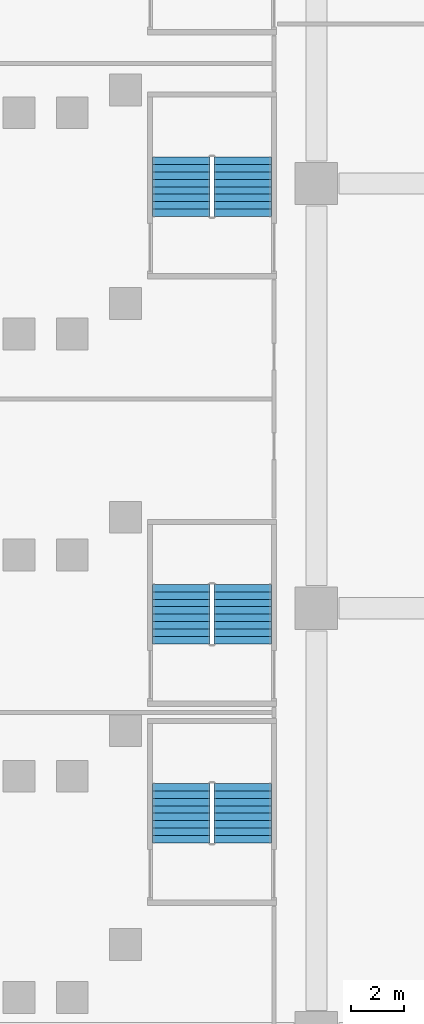
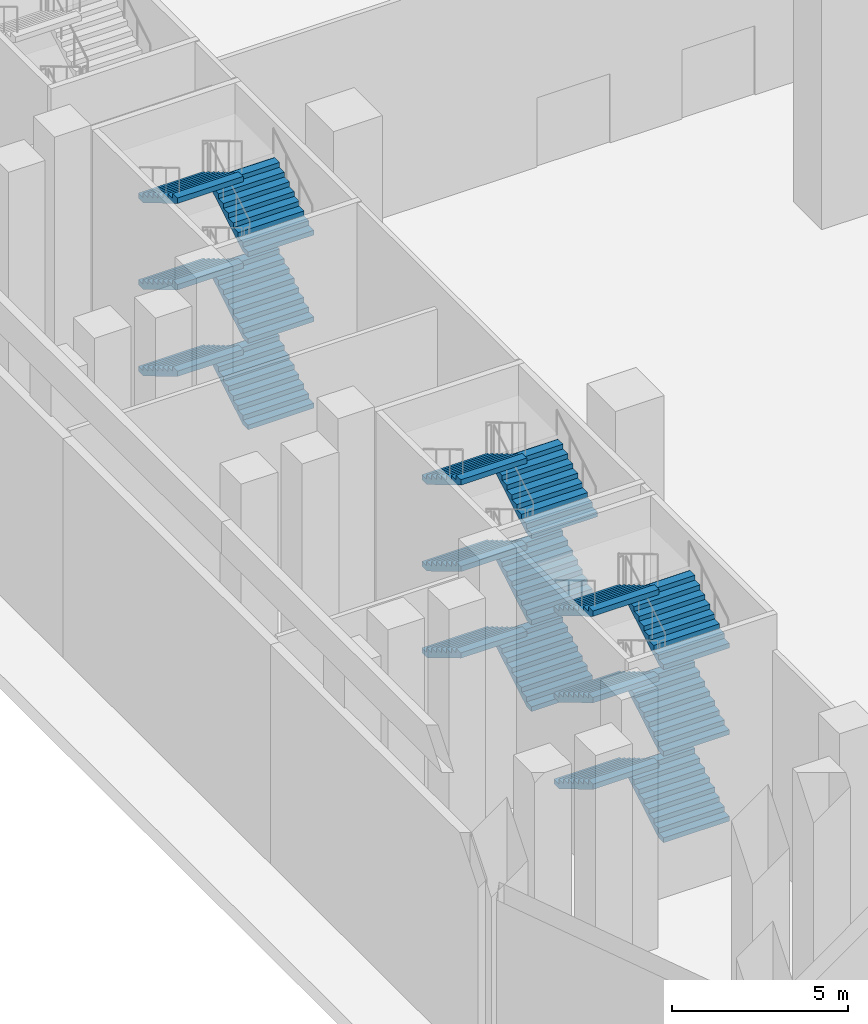
# One storey, part 12 of 25: 18 stair flights, 3 elements without a shape of their own.
"""IFC4 building model written with IfcOpenShell, lengths in metres."""

from ifc_helpers import new_model, si_unit, direction, frame, origin, place, context, subcontext, project, spatial, faceted_brep, source, transform, mapped, material, type_object, element, aggregate, save


model = new_model("IFC4")

# Units and contexts
model_context = context("Model", 3, precision=1e-05, world=origin(), true_north=direction((0.0, 1.0)))
body_context = subcontext(model_context, "Body", "Model", "MODEL_VIEW")
ifc_project = project(units=[si_unit("LENGTHUNIT", "METRE"), si_unit("AREAUNIT", "SQUARE_METRE"), si_unit("VOLUMEUNIT", "CUBIC_METRE"), si_unit("PLANEANGLEUNIT", "RADIAN"), si_unit("MASSUNIT", "GRAM", prefix="KILO")], contexts=[model_context])

# Site, building, storey
site_placement = place(None, origin())
site = spatial("IfcSite", under=ifc_project, at=site_placement, CompositionType="ELEMENT")
building_placement = place(site_placement, origin())
building = spatial("IfcBuilding", under=site, at=building_placement, Name="Calabash Gate Tower", CompositionType="ELEMENT")
storey_placement = place(building_placement, frame((0.0, 0.0, 20.0)))
storey = spatial("IfcBuildingStorey", under=building, at=storey_placement, Name="L02", CompositionType="ELEMENT", Elevation=20.0)

# Stair, stair flights
ifc_material_1 = material(Name="Concrete C40/50", Category="concrete")
stair_type = type_object("IfcStairType", Name="Public stair 54 risers of 166.7 mm", PredefinedType="HALF_TURN_STAIR", material=ifc_material_1)
stair_1_placement = place(storey_placement, origin())
stair_1 = element("IfcStair", 1, at=stair_1_placement, inside=storey, type_object=stair_type, Name="L02 Public Stair PS1", PredefinedType="HALF_TURN_STAIR")
ifc_material_2 = material(Name="Concrete C40/50", Category="concrete")
stair_flight_type = type_object("IfcStairFlightType", Name="Exit stair flight SFL", PredefinedType="STRAIGHT", material=ifc_material_2)
shared_shape = source(origin(), body_context, "Body", "Brep", [
    faceted_brep([(-0.0009765625, -1.080078125, 0.0), (0.292236328125, -1.080078125, 0.0), (2.23291015625, -1.080078125, 1.15869140625), (-0.0009765625, 1.080078125, 0.0), (2.23291015625, 1.080078125, 1.15869140625), (0.292236328125, 1.080078125, 0.0), (2.23291015625, -1.080078125, 1.34521484375), (2.23193359375, -1.080078125, 1.34521484375), (2.23193359375, 1.080078125, 1.34521484375), (2.23291015625, 1.080078125, 1.34521484375), (2.23193359375, -1.080078125, 1.333251953125), (2.23193359375, 1.080078125, 1.333251953125), (1.952880859375, -1.080078125, 1.333251953125), (1.952880859375, 1.080078125, 1.333251953125), (1.952880859375, -1.080078125, 1.166748046875), (1.952880859375, 1.080078125, 1.166748046875), (1.674072265625, -1.080078125, 1.166748046875), (1.674072265625, 1.080078125, 1.166748046875), (1.674072265625, -1.080078125, 1.0), (1.674072265625, 1.080078125, 1.0), (1.39501953125, -1.080078125, 1.0), (1.39501953125, -1.080078125, 0.833251953125), (1.39501953125, 1.080078125, 0.833251953125), (1.39501953125, 1.080078125, 1.0), (1.115966796875, -1.080078125, 0.833251953125), (1.115966796875, -1.080078125, 0.666748046875), (1.115966796875, 1.080078125, 0.666748046875), (1.115966796875, 1.080078125, 0.833251953125), (0.8369140625, -1.080078125, 0.666748046875), (0.8369140625, -1.080078125, 0.5), (0.8369140625, 1.080078125, 0.5), (0.8369140625, 1.080078125, 0.666748046875), (0.55810546875, -1.080078125, 0.5), (0.55810546875, -1.080078125, 0.333251953125), (0.55810546875, 1.080078125, 0.333251953125), (0.55810546875, 1.080078125, 0.5), (0.279052734375, -1.080078125, 0.333251953125), (0.279052734375, -1.080078125, 0.166748046875), (0.279052734375, 1.080078125, 0.166748046875), (0.279052734375, 1.080078125, 0.333251953125), (-0.0009765625, -1.080078125, 0.166748046875), (-0.0009765625, 1.080078125, 0.166748046875), (0.292236328125, -0.431884765625, 0.0), (2.23291015625, -0.431884765625, 1.15869140625), (0.292236328125, -0.345703125, 0.0), (2.23291015625, -0.345703125, 1.15869140625), (0.292236328125, -0.25927734375, 0.0), (2.23291015625, -0.25927734375, 1.15869140625), (0.292236328125, -0.1728515625, 0.0), (2.23291015625, -0.1728515625, 1.15869140625), (0.292236328125, -0.08642578125, 0.0), (2.23291015625, -0.08642578125, 1.15869140625), (0.292236328125, 0.0, 0.0), (2.23291015625, 0.0, 1.15869140625), (0.292236328125, 0.08642578125, 0.0), (2.23291015625, 0.08642578125, 1.15869140625), (0.292236328125, 0.1728515625, 0.0), (2.23291015625, 0.1728515625, 1.15869140625), (0.292236328125, 0.25927734375, 0.0), (2.23291015625, 0.25927734375, 1.15869140625), (0.292236328125, 0.345703125, 0.0), (2.23291015625, 0.345703125, 1.15869140625), (0.292236328125, 0.431884765625, 0.0), (2.23291015625, 0.431884765625, 1.15869140625), (2.23291015625, -0.431884765625, 1.34521484375), (2.23291015625, -0.345703125, 1.34521484375), (2.23291015625, -0.25927734375, 1.34521484375), (2.23291015625, -0.1728515625, 1.34521484375), (2.23291015625, -0.08642578125, 1.34521484375), (2.23291015625, 0.0, 1.34521484375), (2.23291015625, 0.08642578125, 1.34521484375), (2.23291015625, 0.1728515625, 1.34521484375), (2.23291015625, 0.25927734375, 1.34521484375), (2.23291015625, 0.345703125, 1.34521484375), (2.23291015625, 0.431884765625, 1.34521484375), (2.23193359375, -0.431884765625, 1.34521484375), (2.23193359375, -0.345703125, 1.34521484375), (2.23193359375, -0.25927734375, 1.34521484375), (2.23193359375, -0.1728515625, 1.34521484375), (2.23193359375, -0.08642578125, 1.34521484375), (2.23193359375, 0.0, 1.34521484375), (2.23193359375, 0.08642578125, 1.34521484375), (2.23193359375, 0.1728515625, 1.34521484375), (2.23193359375, 0.25927734375, 1.34521484375), (2.23193359375, 0.345703125, 1.34521484375), (2.23193359375, 0.431884765625, 1.34521484375), (2.23193359375, -0.431884765625, 1.333251953125), (2.23193359375, -0.345703125, 1.333251953125), (2.23193359375, -0.25927734375, 1.333251953125), (2.23193359375, -0.1728515625, 1.333251953125), (2.23193359375, -0.08642578125, 1.333251953125), (2.23193359375, 0.0, 1.333251953125), (2.23193359375, 0.08642578125, 1.333251953125), (2.23193359375, 0.1728515625, 1.333251953125), (2.23193359375, 0.25927734375, 1.333251953125), (2.23193359375, 0.345703125, 1.333251953125), (2.23193359375, 0.431884765625, 1.333251953125), (1.952880859375, -0.431884765625, 1.333251953125), (1.952880859375, -0.345703125, 1.333251953125), (1.952880859375, -0.25927734375, 1.333251953125), (1.952880859375, -0.1728515625, 1.333251953125), (1.952880859375, -0.08642578125, 1.333251953125), (1.952880859375, 0.0, 1.333251953125), (1.952880859375, 0.08642578125, 1.333251953125), (1.952880859375, 0.1728515625, 1.333251953125), (1.952880859375, 0.25927734375, 1.333251953125), (1.952880859375, 0.345703125, 1.333251953125), (1.952880859375, 0.431884765625, 1.333251953125), (1.952880859375, -0.431884765625, 1.166748046875), (1.952880859375, -0.345703125, 1.166748046875), (1.952880859375, -0.25927734375, 1.166748046875), (1.952880859375, -0.1728515625, 1.166748046875), (1.952880859375, -0.08642578125, 1.166748046875), (1.952880859375, 0.0, 1.166748046875), (1.952880859375, 0.08642578125, 1.166748046875), (1.952880859375, 0.1728515625, 1.166748046875), (1.952880859375, 0.25927734375, 1.166748046875), (1.952880859375, 0.345703125, 1.166748046875), (1.952880859375, 0.431884765625, 1.166748046875), (1.674072265625, -0.431884765625, 1.166748046875), (1.674072265625, -0.345703125, 1.166748046875), (1.674072265625, -0.25927734375, 1.166748046875), (1.674072265625, -0.1728515625, 1.166748046875), (1.674072265625, -0.08642578125, 1.166748046875), (1.674072265625, 0.0, 1.166748046875), (1.674072265625, 0.08642578125, 1.166748046875), (1.674072265625, 0.1728515625, 1.166748046875), (1.674072265625, 0.25927734375, 1.166748046875), (1.674072265625, 0.345703125, 1.166748046875), (1.674072265625, 0.431884765625, 1.166748046875), (1.674072265625, -0.431884765625, 1.0), (1.674072265625, -0.345703125, 1.0), (1.674072265625, -0.25927734375, 1.0), (1.674072265625, -0.1728515625, 1.0), (1.674072265625, -0.08642578125, 1.0), (1.674072265625, 0.0, 1.0), (1.674072265625, 0.08642578125, 1.0), (1.674072265625, 0.1728515625, 1.0), (1.674072265625, 0.25927734375, 1.0), (1.674072265625, 0.345703125, 1.0), (1.674072265625, 0.431884765625, 1.0), (1.39501953125, -0.431884765625, 1.0), (1.39501953125, -0.345703125, 1.0), (1.39501953125, -0.25927734375, 1.0), (1.39501953125, -0.1728515625, 1.0), (1.39501953125, -0.08642578125, 1.0), (1.39501953125, 0.0, 1.0), (1.39501953125, 0.08642578125, 1.0), (1.39501953125, 0.1728515625, 1.0), (1.39501953125, 0.25927734375, 1.0), (1.39501953125, 0.345703125, 1.0), (1.39501953125, 0.431884765625, 1.0), (1.39501953125, -0.431884765625, 0.833251953125), (1.39501953125, -0.345703125, 0.833251953125), (1.39501953125, -0.25927734375, 0.833251953125), (1.39501953125, -0.1728515625, 0.833251953125), (1.39501953125, -0.08642578125, 0.833251953125), (1.39501953125, 0.0, 0.833251953125), (1.39501953125, 0.08642578125, 0.833251953125), (1.39501953125, 0.1728515625, 0.833251953125), (1.39501953125, 0.25927734375, 0.833251953125), (1.39501953125, 0.345703125, 0.833251953125), (1.39501953125, 0.431884765625, 0.833251953125), (1.115966796875, -0.431884765625, 0.833251953125), (1.115966796875, -0.345703125, 0.833251953125), (1.115966796875, -0.25927734375, 0.833251953125), (1.115966796875, -0.1728515625, 0.833251953125), (1.115966796875, -0.08642578125, 0.833251953125), (1.115966796875, 0.0, 0.833251953125), (1.115966796875, 0.08642578125, 0.833251953125), (1.115966796875, 0.1728515625, 0.833251953125), (1.115966796875, 0.25927734375, 0.833251953125), (1.115966796875, 0.345703125, 0.833251953125), (1.115966796875, 0.431884765625, 0.833251953125), (1.115966796875, -0.431884765625, 0.666748046875), (1.115966796875, -0.345703125, 0.666748046875), (1.115966796875, -0.25927734375, 0.666748046875), (1.115966796875, -0.1728515625, 0.666748046875), (1.115966796875, -0.08642578125, 0.666748046875), (1.115966796875, 0.0, 0.666748046875), (1.115966796875, 0.08642578125, 0.666748046875), (1.115966796875, 0.1728515625, 0.666748046875), (1.115966796875, 0.25927734375, 0.666748046875), (1.115966796875, 0.345703125, 0.666748046875), (1.115966796875, 0.431884765625, 0.666748046875), (0.8369140625, -0.431884765625, 0.666748046875), (0.8369140625, -0.345703125, 0.666748046875), (0.8369140625, -0.25927734375, 0.666748046875), (0.8369140625, -0.1728515625, 0.666748046875), (0.8369140625, -0.08642578125, 0.666748046875), (0.8369140625, 0.0, 0.666748046875), (0.8369140625, 0.08642578125, 0.666748046875), (0.8369140625, 0.1728515625, 0.666748046875), (0.8369140625, 0.25927734375, 0.666748046875), (0.8369140625, 0.345703125, 0.666748046875), (0.8369140625, 0.431884765625, 0.666748046875), (0.8369140625, -0.431884765625, 0.5), (0.8369140625, -0.345703125, 0.5), (0.8369140625, -0.25927734375, 0.5), (0.8369140625, -0.1728515625, 0.5), (0.8369140625, -0.08642578125, 0.5), (0.8369140625, 0.0, 0.5), (0.8369140625, 0.08642578125, 0.5), (0.8369140625, 0.1728515625, 0.5), (0.8369140625, 0.25927734375, 0.5), (0.8369140625, 0.345703125, 0.5), (0.8369140625, 0.431884765625, 0.5), (0.55810546875, -0.431884765625, 0.5), (0.55810546875, -0.345703125, 0.5), (0.55810546875, -0.25927734375, 0.5), (0.55810546875, -0.1728515625, 0.5), (0.55810546875, -0.08642578125, 0.5), (0.55810546875, 0.0, 0.5), (0.55810546875, 0.08642578125, 0.5), (0.55810546875, 0.1728515625, 0.5), (0.55810546875, 0.25927734375, 0.5), (0.55810546875, 0.345703125, 0.5), (0.55810546875, 0.431884765625, 0.5), (0.55810546875, -0.431884765625, 0.333251953125), (0.55810546875, -0.345703125, 0.333251953125), (0.55810546875, -0.25927734375, 0.333251953125), (0.55810546875, -0.1728515625, 0.333251953125), (0.55810546875, -0.08642578125, 0.333251953125), (0.55810546875, 0.0, 0.333251953125), (0.55810546875, 0.08642578125, 0.333251953125), (0.55810546875, 0.1728515625, 0.333251953125), (0.55810546875, 0.25927734375, 0.333251953125), (0.55810546875, 0.345703125, 0.333251953125), (0.55810546875, 0.431884765625, 0.333251953125), (0.279052734375, -0.431884765625, 0.333251953125), (0.279052734375, -0.345703125, 0.333251953125), (0.279052734375, -0.25927734375, 0.333251953125), (0.279052734375, -0.1728515625, 0.333251953125), (0.279052734375, -0.08642578125, 0.333251953125), (0.279052734375, 0.0, 0.333251953125), (0.279052734375, 0.08642578125, 0.333251953125), (0.279052734375, 0.1728515625, 0.333251953125), (0.279052734375, 0.25927734375, 0.333251953125), (0.279052734375, 0.345703125, 0.333251953125), (0.279052734375, 0.431884765625, 0.333251953125), (0.279052734375, -0.431884765625, 0.166748046875), (0.279052734375, -0.345703125, 0.166748046875), (0.279052734375, -0.25927734375, 0.166748046875), (0.279052734375, -0.1728515625, 0.166748046875), (0.279052734375, -0.08642578125, 0.166748046875), (0.279052734375, 0.0, 0.166748046875), (0.279052734375, 0.08642578125, 0.166748046875), (0.279052734375, 0.1728515625, 0.166748046875), (0.279052734375, 0.25927734375, 0.166748046875), (0.279052734375, 0.345703125, 0.166748046875), (0.279052734375, 0.431884765625, 0.166748046875), (-0.0009765625, -0.431884765625, 0.166748046875), (-0.0009765625, -0.345703125, 0.166748046875), (-0.0009765625, -0.25927734375, 0.166748046875), (-0.0009765625, -0.1728515625, 0.166748046875), (-0.0009765625, -0.08642578125, 0.166748046875), (-0.0009765625, 0.0, 0.166748046875), (-0.0009765625, 0.08642578125, 0.166748046875), (-0.0009765625, 0.1728515625, 0.166748046875), (-0.0009765625, 0.25927734375, 0.166748046875), (-0.0009765625, 0.345703125, 0.166748046875), (-0.0009765625, 0.431884765625, 0.166748046875), (-0.0009765625, -0.431884765625, 0.0), (-0.0009765625, -0.345703125, 0.0), (-0.0009765625, -0.25927734375, 0.0), (-0.0009765625, -0.1728515625, 0.0), (-0.0009765625, -0.08642578125, 0.0), (-0.0009765625, 0.0, 0.0), (-0.0009765625, 0.08642578125, 0.0), (-0.0009765625, 0.1728515625, 0.0), (-0.0009765625, 0.25927734375, 0.0), (-0.0009765625, 0.345703125, 0.0), (-0.0009765625, 0.431884765625, 0.0)], [[[0, 1, 2]], [[3, 4, 5]], [[2, 6, 7]], [[4, 8, 9]], [[2, 7, 10]], [[4, 11, 8]], [[2, 10, 12]], [[4, 13, 11]], [[2, 12, 14]], [[4, 15, 13]], [[2, 14, 16]], [[4, 17, 15]], [[2, 16, 18]], [[4, 19, 17]], [[18, 20, 21]], [[19, 22, 23]], [[2, 18, 21]], [[4, 22, 19]], [[21, 24, 25]], [[22, 26, 27]], [[2, 21, 25]], [[4, 26, 22]], [[25, 28, 29]], [[26, 30, 31]], [[2, 25, 29]], [[4, 30, 26]], [[29, 32, 33]], [[30, 34, 35]], [[2, 29, 33]], [[4, 34, 30]], [[33, 36, 37]], [[34, 38, 39]], [[2, 33, 37]], [[4, 38, 34]], [[0, 2, 37]], [[3, 38, 4]], [[37, 40, 0]], [[38, 3, 41]], [[1, 42, 2]], [[42, 43, 2]], [[42, 44, 43]], [[44, 45, 43]], [[44, 46, 45]], [[46, 47, 45]], [[46, 48, 47]], [[48, 49, 47]], [[48, 50, 49]], [[50, 51, 49]], [[50, 52, 51]], [[52, 53, 51]], [[52, 54, 55]], [[52, 55, 53]], [[54, 56, 57]], [[54, 57, 55]], [[56, 58, 59]], [[56, 59, 57]], [[58, 60, 61]], [[58, 61, 59]], [[60, 62, 63]], [[60, 63, 61]], [[62, 5, 4]], [[62, 4, 63]], [[2, 43, 6]], [[43, 64, 6]], [[43, 45, 64]], [[45, 65, 64]], [[45, 47, 65]], [[47, 66, 65]], [[47, 49, 66]], [[49, 67, 66]], [[49, 51, 67]], [[51, 68, 67]], [[51, 53, 68]], [[53, 69, 68]], [[53, 55, 70]], [[53, 70, 69]], [[55, 57, 71]], [[55, 71, 70]], [[57, 59, 72]], [[57, 72, 71]], [[59, 61, 73]], [[59, 73, 72]], [[61, 63, 74]], [[61, 74, 73]], [[63, 4, 9]], [[63, 9, 74]], [[6, 64, 7]], [[64, 75, 7]], [[64, 65, 75]], [[65, 76, 75]], [[65, 66, 76]], [[66, 77, 76]], [[66, 67, 77]], [[67, 78, 77]], [[67, 68, 78]], [[68, 79, 78]], [[68, 69, 79]], [[69, 80, 79]], [[69, 70, 81]], [[69, 81, 80]], [[70, 71, 82]], [[70, 82, 81]], [[71, 72, 83]], [[71, 83, 82]], [[72, 73, 84]], [[72, 84, 83]], [[73, 74, 85]], [[73, 85, 84]], [[74, 9, 8]], [[74, 8, 85]], [[7, 75, 10]], [[75, 86, 10]], [[75, 76, 86]], [[76, 87, 86]], [[76, 77, 87]], [[77, 88, 87]], [[77, 78, 88]], [[78, 89, 88]], [[78, 79, 89]], [[79, 90, 89]], [[79, 80, 90]], [[80, 91, 90]], [[80, 81, 92]], [[80, 92, 91]], [[81, 82, 93]], [[81, 93, 92]], [[82, 83, 94]], [[82, 94, 93]], [[83, 84, 95]], [[83, 95, 94]], [[84, 85, 96]], [[84, 96, 95]], [[85, 8, 11]], [[85, 11, 96]], [[10, 86, 12]], [[86, 97, 12]], [[86, 87, 97]], [[87, 98, 97]], [[87, 88, 98]], [[88, 99, 98]], [[88, 89, 99]], [[89, 100, 99]], [[89, 90, 100]], [[90, 101, 100]], [[90, 91, 101]], [[91, 102, 101]], [[91, 92, 103]], [[91, 103, 102]], [[92, 93, 104]], [[92, 104, 103]], [[93, 94, 105]], [[93, 105, 104]], [[94, 95, 106]], [[94, 106, 105]], [[95, 96, 107]], [[95, 107, 106]], [[96, 11, 13]], [[96, 13, 107]], [[12, 97, 14]], [[97, 108, 14]], [[97, 98, 108]], [[98, 109, 108]], [[98, 99, 109]], [[99, 110, 109]], [[99, 100, 110]], [[100, 111, 110]], [[100, 101, 111]], [[101, 112, 111]], [[101, 102, 112]], [[102, 113, 112]], [[102, 103, 114]], [[102, 114, 113]], [[103, 104, 115]], [[103, 115, 114]], [[104, 105, 116]], [[104, 116, 115]], [[105, 106, 117]], [[105, 117, 116]], [[106, 107, 118]], [[106, 118, 117]], [[107, 13, 15]], [[107, 15, 118]], [[14, 108, 16]], [[108, 119, 16]], [[108, 109, 119]], [[109, 120, 119]], [[109, 110, 120]], [[110, 121, 120]], [[110, 111, 121]], [[111, 122, 121]], [[111, 112, 122]], [[112, 123, 122]], [[112, 113, 123]], [[113, 124, 123]], [[113, 114, 125]], [[113, 125, 124]], [[114, 115, 126]], [[114, 126, 125]], [[115, 116, 127]], [[115, 127, 126]], [[116, 117, 128]], [[116, 128, 127]], [[117, 118, 129]], [[117, 129, 128]], [[118, 15, 17]], [[118, 17, 129]], [[16, 119, 18]], [[119, 130, 18]], [[119, 120, 130]], [[120, 131, 130]], [[120, 121, 131]], [[121, 132, 131]], [[121, 122, 132]], [[122, 133, 132]], [[122, 123, 133]], [[123, 134, 133]], [[123, 124, 134]], [[124, 135, 134]], [[124, 125, 136]], [[124, 136, 135]], [[125, 126, 137]], [[125, 137, 136]], [[126, 127, 138]], [[126, 138, 137]], [[127, 128, 139]], [[127, 139, 138]], [[128, 129, 140]], [[128, 140, 139]], [[129, 17, 19]], [[129, 19, 140]], [[18, 130, 20]], [[130, 141, 20]], [[130, 131, 141]], [[131, 142, 141]], [[131, 132, 142]], [[132, 143, 142]], [[132, 133, 143]], [[133, 144, 143]], [[133, 134, 144]], [[134, 145, 144]], [[134, 135, 145]], [[135, 146, 145]], [[135, 136, 147]], [[135, 147, 146]], [[136, 137, 148]], [[136, 148, 147]], [[137, 138, 149]], [[137, 149, 148]], [[138, 139, 150]], [[138, 150, 149]], [[139, 140, 151]], [[139, 151, 150]], [[140, 19, 23]], [[140, 23, 151]], [[20, 141, 21]], [[141, 152, 21]], [[141, 142, 152]], [[142, 153, 152]], [[142, 143, 153]], [[143, 154, 153]], [[143, 144, 154]], [[144, 155, 154]], [[144, 145, 155]], [[145, 156, 155]], [[145, 146, 156]], [[146, 157, 156]], [[146, 147, 158]], [[146, 158, 157]], [[147, 148, 159]], [[147, 159, 158]], [[148, 149, 160]], [[148, 160, 159]], [[149, 150, 161]], [[149, 161, 160]], [[150, 151, 162]], [[150, 162, 161]], [[151, 23, 22]], [[151, 22, 162]], [[21, 152, 24]], [[152, 163, 24]], [[152, 153, 163]], [[153, 164, 163]], [[153, 154, 164]], [[154, 165, 164]], [[154, 155, 165]], [[155, 166, 165]], [[155, 156, 166]], [[156, 167, 166]], [[156, 157, 167]], [[157, 168, 167]], [[157, 158, 169]], [[157, 169, 168]], [[158, 159, 170]], [[158, 170, 169]], [[159, 160, 171]], [[159, 171, 170]], [[160, 161, 172]], [[160, 172, 171]], [[161, 162, 173]], [[161, 173, 172]], [[162, 22, 27]], [[162, 27, 173]], [[24, 163, 25]], [[163, 174, 25]], [[163, 164, 174]], [[164, 175, 174]], [[164, 165, 175]], [[165, 176, 175]], [[165, 166, 176]], [[166, 177, 176]], [[166, 167, 177]], [[167, 178, 177]], [[167, 168, 178]], [[168, 179, 178]], [[168, 169, 180]], [[168, 180, 179]], [[169, 170, 181]], [[169, 181, 180]], [[170, 171, 182]], [[170, 182, 181]], [[171, 172, 183]], [[171, 183, 182]], [[172, 173, 184]], [[172, 184, 183]], [[173, 27, 26]], [[173, 26, 184]], [[25, 174, 28]], [[174, 185, 28]], [[174, 175, 185]], [[175, 186, 185]], [[175, 176, 186]], [[176, 187, 186]], [[176, 177, 187]], [[177, 188, 187]], [[177, 178, 188]], [[178, 189, 188]], [[178, 179, 189]], [[179, 190, 189]], [[179, 180, 191]], [[179, 191, 190]], [[180, 181, 192]], [[180, 192, 191]], [[181, 182, 193]], [[181, 193, 192]], [[182, 183, 194]], [[182, 194, 193]], [[183, 184, 195]], [[183, 195, 194]], [[184, 26, 31]], [[184, 31, 195]], [[28, 185, 29]], [[185, 196, 29]], [[185, 186, 196]], [[186, 197, 196]], [[186, 187, 197]], [[187, 198, 197]], [[187, 188, 198]], [[188, 199, 198]], [[188, 189, 199]], [[189, 200, 199]], [[189, 190, 200]], [[190, 201, 200]], [[190, 191, 202]], [[190, 202, 201]], [[191, 192, 203]], [[191, 203, 202]], [[192, 193, 204]], [[192, 204, 203]], [[193, 194, 205]], [[193, 205, 204]], [[194, 195, 206]], [[194, 206, 205]], [[195, 31, 30]], [[195, 30, 206]], [[29, 196, 32]], [[196, 207, 32]], [[196, 197, 207]], [[197, 208, 207]], [[197, 198, 208]], [[198, 209, 208]], [[198, 199, 209]], [[199, 210, 209]], [[199, 200, 210]], [[200, 211, 210]], [[200, 201, 211]], [[201, 212, 211]], [[201, 202, 213]], [[201, 213, 212]], [[202, 203, 214]], [[202, 214, 213]], [[203, 204, 215]], [[203, 215, 214]], [[204, 205, 216]], [[204, 216, 215]], [[205, 206, 217]], [[205, 217, 216]], [[206, 30, 35]], [[206, 35, 217]], [[32, 207, 33]], [[207, 218, 33]], [[207, 208, 218]], [[208, 219, 218]], [[208, 209, 219]], [[209, 220, 219]], [[209, 210, 220]], [[210, 221, 220]], [[210, 211, 221]], [[211, 222, 221]], [[211, 212, 222]], [[212, 223, 222]], [[212, 213, 224]], [[212, 224, 223]], [[213, 214, 225]], [[213, 225, 224]], [[214, 215, 226]], [[214, 226, 225]], [[215, 216, 227]], [[215, 227, 226]], [[216, 217, 228]], [[216, 228, 227]], [[217, 35, 34]], [[217, 34, 228]], [[33, 218, 36]], [[218, 229, 36]], [[218, 219, 229]], [[219, 230, 229]], [[219, 220, 230]], [[220, 231, 230]], [[220, 221, 231]], [[221, 232, 231]], [[221, 222, 232]], [[222, 233, 232]], [[222, 223, 233]], [[223, 234, 233]], [[223, 224, 235]], [[223, 235, 234]], [[224, 225, 236]], [[224, 236, 235]], [[225, 226, 237]], [[225, 237, 236]], [[226, 227, 238]], [[226, 238, 237]], [[227, 228, 239]], [[227, 239, 238]], [[228, 34, 39]], [[228, 39, 239]], [[36, 229, 37]], [[229, 240, 37]], [[229, 230, 240]], [[230, 241, 240]], [[230, 231, 241]], [[231, 242, 241]], [[231, 232, 242]], [[232, 243, 242]], [[232, 233, 243]], [[233, 244, 243]], [[233, 234, 244]], [[234, 245, 244]], [[234, 235, 246]], [[234, 246, 245]], [[235, 236, 247]], [[235, 247, 246]], [[236, 237, 248]], [[236, 248, 247]], [[237, 238, 249]], [[237, 249, 248]], [[238, 239, 250]], [[238, 250, 249]], [[239, 39, 38]], [[239, 38, 250]], [[37, 240, 40]], [[240, 251, 40]], [[240, 241, 251]], [[241, 252, 251]], [[241, 242, 252]], [[242, 253, 252]], [[242, 243, 253]], [[243, 254, 253]], [[243, 244, 254]], [[244, 255, 254]], [[244, 245, 255]], [[245, 256, 255]], [[245, 246, 257]], [[245, 257, 256]], [[246, 247, 258]], [[246, 258, 257]], [[247, 248, 259]], [[247, 259, 258]], [[248, 249, 260]], [[248, 260, 259]], [[249, 250, 261]], [[249, 261, 260]], [[250, 38, 41]], [[250, 41, 261]], [[40, 251, 0]], [[251, 262, 0]], [[251, 252, 262]], [[252, 263, 262]], [[252, 253, 263]], [[253, 264, 263]], [[253, 254, 264]], [[254, 265, 264]], [[254, 255, 265]], [[255, 266, 265]], [[255, 256, 266]], [[256, 267, 266]], [[256, 257, 268]], [[256, 268, 267]], [[257, 258, 269]], [[257, 269, 268]], [[258, 259, 270]], [[258, 270, 269]], [[259, 260, 271]], [[259, 271, 270]], [[260, 261, 272]], [[260, 272, 271]], [[261, 41, 3]], [[261, 3, 272]], [[0, 262, 1]], [[262, 42, 1]], [[262, 263, 42]], [[263, 44, 42]], [[263, 264, 44]], [[264, 46, 44]], [[264, 265, 46]], [[265, 48, 46]], [[265, 266, 48]], [[266, 50, 48]], [[266, 267, 50]], [[267, 52, 50]], [[267, 268, 54]], [[267, 54, 52]], [[268, 269, 56]], [[268, 56, 54]], [[269, 270, 58]], [[269, 58, 56]], [[270, 271, 60]], [[270, 60, 58]], [[271, 272, 62]], [[271, 62, 60]], [[272, 3, 5]], [[272, 5, 62]]]),
])
stair_flight_1_placement = place(storey_placement, frame((-34.780029296875, -32.840087890625, 0.0), z_axis=(0.0, 0.0, 1.0), x_axis=(0.0, 1.0, 0.0)))
stair_flight_1 = element("IfcStairFlight", 2, at=stair_flight_1_placement, type_object=stair_flight_type, Name="PS1 flight 1", NumberOfRisers=9, NumberOfTreads=8, PredefinedType="STRAIGHT", RiserHeight=0.166666667, TreadLength=0.279, context=body_context, shape_type="MappedRepresentation", body=[
    mapped(shared_shape, transform((0.0, 0.0, 0.0), scale=1.0)),
])
stair_flight_2_placement = place(storey_placement, frame((-37.090087890625, -30.60791015625, 1.5), z_axis=(0.0, 0.0, 1.0), x_axis=(0.0, -1.0, 0.0)))
stair_flight_2 = element("IfcStairFlight", 3, at=stair_flight_2_placement, type_object=stair_flight_type, Name="PS1 flight 2", NumberOfRisers=9, NumberOfTreads=8, PredefinedType="STRAIGHT", RiserHeight=0.166666667, TreadLength=0.279, context=body_context, shape_type="MappedRepresentation", body=[
    mapped(shared_shape, transform((0.0, 0.0, 0.0), scale=1.0)),
])
stair_flight_3_placement = place(storey_placement, frame((-34.780029296875, -32.840087890625, 3.0), z_axis=(0.0, 0.0, 1.0), x_axis=(0.0, 1.0, 0.0)))
stair_flight_3 = element("IfcStairFlight", 4, at=stair_flight_3_placement, type_object=stair_flight_type, Name="PS1 flight 3", NumberOfRisers=9, NumberOfTreads=8, PredefinedType="STRAIGHT", RiserHeight=0.166666667, TreadLength=0.279, context=body_context, shape_type="MappedRepresentation", body=[
    mapped(shared_shape, transform((0.0, 0.0, 0.0), scale=1.0)),
])
stair_flight_4_placement = place(storey_placement, frame((-37.090087890625, -30.60791015625, 4.5), z_axis=(0.0, 0.0, 1.0), x_axis=(0.0, -1.0, 0.0)))
stair_flight_4 = element("IfcStairFlight", 5, at=stair_flight_4_placement, type_object=stair_flight_type, Name="PS1 flight 4", NumberOfRisers=9, NumberOfTreads=8, PredefinedType="STRAIGHT", RiserHeight=0.166666667, TreadLength=0.279, context=body_context, shape_type="MappedRepresentation", body=[
    mapped(shared_shape, transform((0.0, 0.0, 0.0), scale=1.0)),
])
stair_flight_5_placement = place(storey_placement, frame((-34.780029296875, -32.840087890625, 6.0), z_axis=(0.0, 0.0, 1.0), x_axis=(0.0, 1.0, 0.0)))
stair_flight_5 = element("IfcStairFlight", 6, at=stair_flight_5_placement, type_object=stair_flight_type, Name="PS1 flight 5", NumberOfRisers=9, NumberOfTreads=8, PredefinedType="STRAIGHT", RiserHeight=0.166666667, TreadLength=0.279, context=body_context, shape_type="MappedRepresentation", body=[
    mapped(shared_shape, transform((0.0, 0.0, 0.0), scale=1.0)),
])
stair_flight_6_placement = place(storey_placement, frame((-37.090087890625, -30.60791015625, 7.5), z_axis=(0.0, 0.0, 1.0), x_axis=(0.0, -1.0, 0.0)))
stair_flight_6 = element("IfcStairFlight", 7, at=stair_flight_6_placement, type_object=stair_flight_type, Name="PS1 flight 6", NumberOfRisers=9, NumberOfTreads=8, PredefinedType="STRAIGHT", RiserHeight=0.166666667, TreadLength=0.279, context=body_context, shape_type="MappedRepresentation", body=[
    mapped(shared_shape, transform((0.0, 0.0, 0.0), scale=1.0)),
])
aggregate(stair_1, [stair_flight_1, stair_flight_2, stair_flight_3, stair_flight_4, stair_flight_5, stair_flight_6])

stair_2_placement = place(storey_placement, origin())
stair_2 = element("IfcStair", 8, at=stair_2_placement, inside=storey, type_object=stair_type, Name="L02 Public Stair PS2", PredefinedType="HALF_TURN_STAIR")
stair_flight_7_placement = place(storey_placement, frame((-34.780029296875, -25.340087890625, 0.0), z_axis=(0.0, 0.0, 1.0), x_axis=(0.0, 1.0, 0.0)))
stair_flight_7 = element("IfcStairFlight", 9, at=stair_flight_7_placement, type_object=stair_flight_type, Name="PS2 flight 1", NumberOfRisers=9, NumberOfTreads=8, PredefinedType="STRAIGHT", RiserHeight=0.166666667, TreadLength=0.279, context=body_context, shape_type="MappedRepresentation", body=[
    mapped(shared_shape, transform((0.0, 0.0, 0.0), scale=1.0)),
])
stair_flight_8_placement = place(storey_placement, frame((-37.090087890625, -23.10791015625, 1.5), z_axis=(0.0, 0.0, 1.0), x_axis=(0.0, -1.0, 0.0)))
stair_flight_8 = element("IfcStairFlight", 10, at=stair_flight_8_placement, type_object=stair_flight_type, Name="PS2 flight 2", NumberOfRisers=9, NumberOfTreads=8, PredefinedType="STRAIGHT", RiserHeight=0.166666667, TreadLength=0.279, context=body_context, shape_type="MappedRepresentation", body=[
    mapped(shared_shape, transform((0.0, 0.0, 0.0), scale=1.0)),
])
stair_flight_9_placement = place(storey_placement, frame((-34.780029296875, -25.340087890625, 3.0), z_axis=(0.0, 0.0, 1.0), x_axis=(0.0, 1.0, 0.0)))
stair_flight_9 = element("IfcStairFlight", 11, at=stair_flight_9_placement, type_object=stair_flight_type, Name="PS2 flight 3", NumberOfRisers=9, NumberOfTreads=8, PredefinedType="STRAIGHT", RiserHeight=0.166666667, TreadLength=0.279, context=body_context, shape_type="MappedRepresentation", body=[
    mapped(shared_shape, transform((0.0, 0.0, 0.0), scale=1.0)),
])
stair_flight_10_placement = place(storey_placement, frame((-37.090087890625, -23.10791015625, 4.5), z_axis=(0.0, 0.0, 1.0), x_axis=(0.0, -1.0, 0.0)))
stair_flight_10 = element("IfcStairFlight", 12, at=stair_flight_10_placement, type_object=stair_flight_type, Name="PS2 flight 4", NumberOfRisers=9, NumberOfTreads=8, PredefinedType="STRAIGHT", RiserHeight=0.166666667, TreadLength=0.279, context=body_context, shape_type="MappedRepresentation", body=[
    mapped(shared_shape, transform((0.0, 0.0, 0.0), scale=1.0)),
])
stair_flight_11_placement = place(storey_placement, frame((-34.780029296875, -25.340087890625, 6.0), z_axis=(0.0, 0.0, 1.0), x_axis=(0.0, 1.0, 0.0)))
stair_flight_11 = element("IfcStairFlight", 13, at=stair_flight_11_placement, type_object=stair_flight_type, Name="PS2 flight 5", NumberOfRisers=9, NumberOfTreads=8, PredefinedType="STRAIGHT", RiserHeight=0.166666667, TreadLength=0.279, context=body_context, shape_type="MappedRepresentation", body=[
    mapped(shared_shape, transform((0.0, 0.0, 0.0), scale=1.0)),
])
stair_flight_12_placement = place(storey_placement, frame((-37.090087890625, -23.10791015625, 7.5), z_axis=(0.0, 0.0, 1.0), x_axis=(0.0, -1.0, 0.0)))
stair_flight_12 = element("IfcStairFlight", 14, at=stair_flight_12_placement, type_object=stair_flight_type, Name="PS2 flight 6", NumberOfRisers=9, NumberOfTreads=8, PredefinedType="STRAIGHT", RiserHeight=0.166666667, TreadLength=0.279, context=body_context, shape_type="MappedRepresentation", body=[
    mapped(shared_shape, transform((0.0, 0.0, 0.0), scale=1.0)),
])
aggregate(stair_2, [stair_flight_7, stair_flight_8, stair_flight_9, stair_flight_10, stair_flight_11, stair_flight_12])

stair_3_placement = place(storey_placement, origin())
stair_3 = element("IfcStair", 15, at=stair_3_placement, inside=storey, type_object=stair_type, Name="L02 Public Stair PS3", PredefinedType="HALF_TURN_STAIR")
stair_flight_13_placement = place(storey_placement, frame((-34.780029296875, -9.239990234375, 0.0), z_axis=(0.0, 0.0, 1.0), x_axis=(0.0, 1.0, 0.0)))
stair_flight_13 = element("IfcStairFlight", 16, at=stair_flight_13_placement, type_object=stair_flight_type, Name="PS3 flight 1", NumberOfRisers=9, NumberOfTreads=8, PredefinedType="STRAIGHT", RiserHeight=0.166666667, TreadLength=0.279, context=body_context, shape_type="MappedRepresentation", body=[
    mapped(shared_shape, transform((0.0, 0.0, 0.0), scale=1.0)),
])
stair_flight_14_placement = place(storey_placement, frame((-37.090087890625, -7.008056640625, 1.5), z_axis=(0.0, 0.0, 1.0), x_axis=(0.0, -1.0, 0.0)))
stair_flight_14 = element("IfcStairFlight", 17, at=stair_flight_14_placement, type_object=stair_flight_type, Name="PS3 flight 2", NumberOfRisers=9, NumberOfTreads=8, PredefinedType="STRAIGHT", RiserHeight=0.166666667, TreadLength=0.279, context=body_context, shape_type="MappedRepresentation", body=[
    mapped(shared_shape, transform((0.0, 0.0, 0.0), scale=1.0)),
])
stair_flight_15_placement = place(storey_placement, frame((-34.780029296875, -9.239990234375, 3.0), z_axis=(0.0, 0.0, 1.0), x_axis=(0.0, 1.0, 0.0)))
stair_flight_15 = element("IfcStairFlight", 18, at=stair_flight_15_placement, type_object=stair_flight_type, Name="PS3 flight 3", NumberOfRisers=9, NumberOfTreads=8, PredefinedType="STRAIGHT", RiserHeight=0.166666667, TreadLength=0.279, context=body_context, shape_type="MappedRepresentation", body=[
    mapped(shared_shape, transform((0.0, 0.0, 0.0), scale=1.0)),
])
stair_flight_16_placement = place(storey_placement, frame((-37.090087890625, -7.008056640625, 4.5), z_axis=(0.0, 0.0, 1.0), x_axis=(0.0, -1.0, 0.0)))
stair_flight_16 = element("IfcStairFlight", 19, at=stair_flight_16_placement, type_object=stair_flight_type, Name="PS3 flight 4", NumberOfRisers=9, NumberOfTreads=8, PredefinedType="STRAIGHT", RiserHeight=0.166666667, TreadLength=0.279, context=body_context, shape_type="MappedRepresentation", body=[
    mapped(shared_shape, transform((0.0, 0.0, 0.0), scale=1.0)),
])
stair_flight_17_placement = place(storey_placement, frame((-34.780029296875, -9.239990234375, 6.0), z_axis=(0.0, 0.0, 1.0), x_axis=(0.0, 1.0, 0.0)))
stair_flight_17 = element("IfcStairFlight", 20, at=stair_flight_17_placement, type_object=stair_flight_type, Name="PS3 flight 5", NumberOfRisers=9, NumberOfTreads=8, PredefinedType="STRAIGHT", RiserHeight=0.166666667, TreadLength=0.279, context=body_context, shape_type="MappedRepresentation", body=[
    mapped(shared_shape, transform((0.0, 0.0, 0.0), scale=1.0)),
])
stair_flight_18_placement = place(storey_placement, frame((-37.090087890625, -7.008056640625, 7.5), z_axis=(0.0, 0.0, 1.0), x_axis=(0.0, -1.0, 0.0)))
stair_flight_18 = element("IfcStairFlight", 21, at=stair_flight_18_placement, type_object=stair_flight_type, Name="PS3 flight 6", NumberOfRisers=9, NumberOfTreads=8, PredefinedType="STRAIGHT", RiserHeight=0.166666667, TreadLength=0.279, context=body_context, shape_type="MappedRepresentation", body=[
    mapped(shared_shape, transform((0.0, 0.0, 0.0), scale=1.0)),
])
aggregate(stair_3, [stair_flight_13, stair_flight_14, stair_flight_15, stair_flight_16, stair_flight_17, stair_flight_18])

save(model, "model.ifc")
